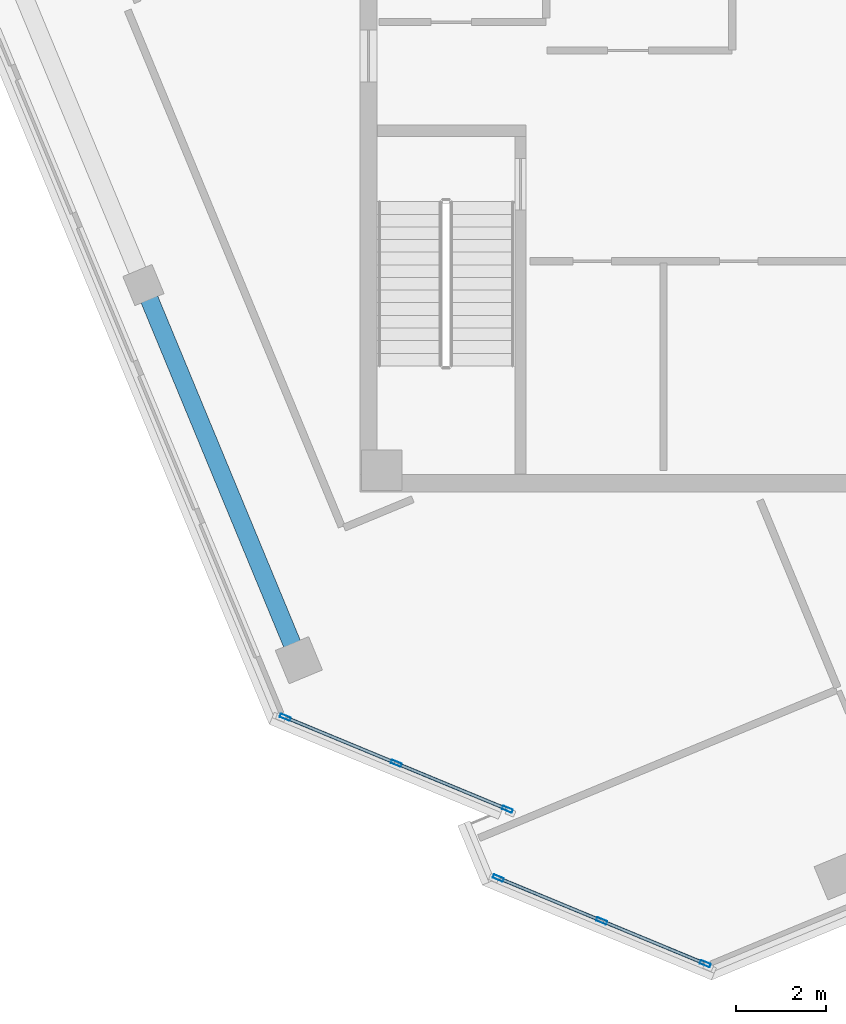
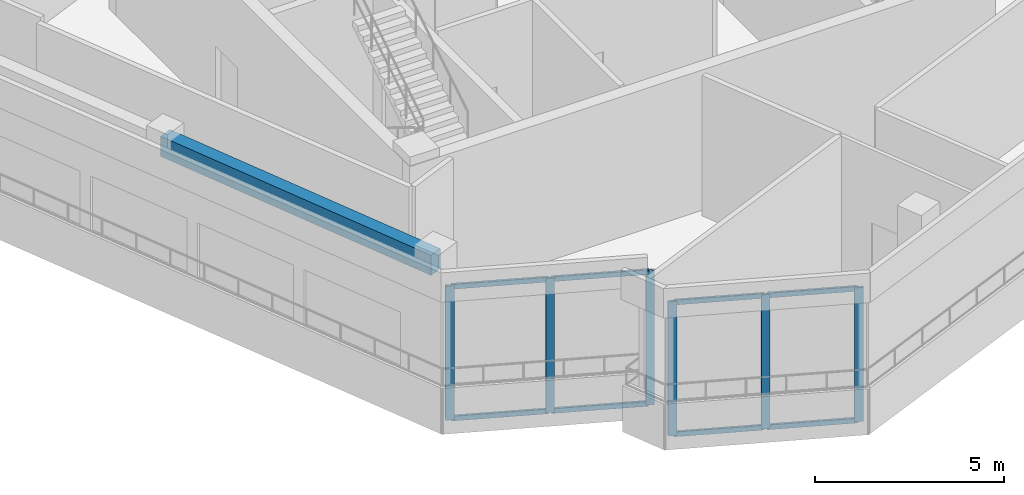
# One storey, part 2 of 17: 14 members, 1 beam, 2 elements without a shape of their own.
"""IFC4 building model written with IfcOpenShell, lengths in metres."""

from ifc_helpers import new_model, si_unit, direction, frame, origin, origin_2d, place, context, subcontext, project, spatial, rectangle, hollow_rectangle, extrude, source, transform, mapped, material, material_profile, profile_set, type_object, element, aggregate, save


model = new_model("IFC4")

# Units and contexts
model_context = context("Model", 3, precision=1e-05, world=origin(), true_north=direction((0.0, 1.0)))
body_context = subcontext(model_context, "Body", "Model", "MODEL_VIEW")
ifc_project = project(units=[si_unit("LENGTHUNIT", "METRE"), si_unit("AREAUNIT", "SQUARE_METRE"), si_unit("VOLUMEUNIT", "CUBIC_METRE"), si_unit("PLANEANGLEUNIT", "RADIAN"), si_unit("MASSUNIT", "GRAM", prefix="KILO")], contexts=[model_context])

# Site, building, storey
site_placement = place(None, origin())
site = spatial("IfcSite", under=ifc_project, at=site_placement, CompositionType="ELEMENT")
building_placement = place(site_placement, origin())
building = spatial("IfcBuilding", under=site, at=building_placement, Name="Torre Montelarca", CompositionType="ELEMENT")
storey_placement = place(building_placement, frame((0.0, 0.0, 355.199951171875)))
storey = spatial("IfcBuildingStorey", under=building, at=storey_placement, Name="L80", CompositionType="ELEMENT", Elevation=355.199951171875)

# Beam
ifc_material_1 = material(Name="Concrete C40/50", Category="concrete")
ifc_material_profile_1 = material_profile(ifc_material_1, rectangle(XDim=0.39990234375, YDim=0.64990234375, at=origin_2d()), Name="RCB400X650", Category="concrete")
ifc_profile_set_1 = profile_set([ifc_material_profile_1], Name="Concrete C40/50")
beam_type = type_object("IfcBeamType", Name="BM-SP-RC650-EXT", PredefinedType="SPANDREL", material=ifc_profile_set_1)
shared_shape_1 = source(origin(), body_context, "Body", "SweptSolid", [
    extrude(rectangle(XDim=0.39990234375, YDim=0.64990234375, at=origin_2d()), origin(), (0.0, 0.0, 1.0), 9.0),
])
beam_placement = place(storey_placement, frame((4.27001953125, 28.6513671875, 4.195068359375), z_axis=(0.382676821686, -0.923882270716, 0.0), x_axis=(0.923882270716, 0.382676821686, 0.0)))
element("IfcBeam", 1, at=beam_placement, inside=storey, type_object=beam_type, Name="L80 Grid Girder X 18.0-27.0 at Y=14.8", PredefinedType="SPANDREL", context=body_context, shape_type="MappedRepresentation", body=[
    mapped(shared_shape_1, transform((0.0, 0.0, 0.0), scale=1.0)),
])

# Curtain wall, members
ifc_material_2 = material(Name="Amber translucent laminated glass", Category="glass")
curtain_wall_type = type_object("IfcCurtainWallType", Name="CW-SYS-LANT", PredefinedType="USERDEFINED", material=ifc_material_2)
curtain_wall_1_placement = place(storey_placement, origin())
curtain_wall_1 = element("IfcCurtainWall", 2, at=curtain_wall_1_placement, inside=storey, type_object=curtain_wall_type, Name="L80 Curtain Wall Run CW-T3-L80-E02-B1", ObjectType="TRANSLUCENT LANTERN", PredefinedType="USERDEFINED")
ifc_material_3 = material(Name="Anodised aluminium AA 6063-T6", Category="aluminium")
ifc_material_profile_2 = material_profile(ifc_material_3, hollow_rectangle(XDim=0.074951171875, YDim=0.159912109375, WallThickness=0.0048828125, InnerFilletRadius=0.0048828125, OuterFilletRadius=0.010009765625, at=origin_2d()), Name="ALU75X160X5", Category="aluminium")
ifc_profile_set_2 = profile_set([ifc_material_profile_2], Name="Anodised aluminium AA 6063-T6")
member_type_1 = type_object("IfcMemberType", Name="CWT-ALU160", PredefinedType="USERDEFINED", material=ifc_profile_set_2)
shared_shape_2 = source(origin(), body_context, "Body", "SweptSolid", [
    extrude(hollow_rectangle(XDim=0.074951171875, YDim=0.159912109375, WallThickness=0.0048828125, InnerFilletRadius=0.0048828125, OuterFilletRadius=0.010009765625, at=origin_2d()), origin(), (0.0, 0.0, 1.0), 2.5849609375),
])
member_1_placement = place(storey_placement, frame((7.44970703125, 19.055908203125, 0.03759765625), z_axis=(0.923874091792, -0.382696567158, 0.0), x_axis=(0.382696567158, 0.923874091792, 0.0)))
member_1 = element("IfcMember", 3, at=member_1_placement, type_object=member_type_1, Name="CW transom 1.1", ObjectType="TRANSOM", PredefinedType="USERDEFINED", context=body_context, shape_type="MappedRepresentation", body=[
    mapped(shared_shape_2, transform((0.0, 0.0, 0.0), scale=1.0)),
])
member_2_placement = place(storey_placement, frame((7.44970703125, 19.055908203125, 4.282470703125), z_axis=(0.923874091792, -0.382696567158, 0.0), x_axis=(0.382696567158, 0.923874091792, 0.0)))
member_2 = element("IfcMember", 4, at=member_2_placement, type_object=member_type_1, Name="CW transom 1.2", ObjectType="TRANSOM", PredefinedType="USERDEFINED", context=body_context, shape_type="MappedRepresentation", body=[
    mapped(shared_shape_2, transform((0.0, 0.0, 0.0), scale=1.0)),
])
member_3_placement = place(storey_placement, frame((9.911865234375, 18.0361328125, 0.03759765625), z_axis=(0.923874091792, -0.382696567158, 0.0), x_axis=(0.382696567158, 0.923874091792, 0.0)))
member_3 = element("IfcMember", 5, at=member_3_placement, type_object=member_type_1, Name="CW transom 2.1", ObjectType="TRANSOM", PredefinedType="USERDEFINED", context=body_context, shape_type="MappedRepresentation", body=[
    mapped(shared_shape_2, transform((0.0, 0.0, 0.0), scale=1.0)),
])
member_4_placement = place(storey_placement, frame((9.911865234375, 18.0361328125, 4.282470703125), z_axis=(0.923874091792, -0.382696567158, 0.0), x_axis=(0.382696567158, 0.923874091792, 0.0)))
member_4 = element("IfcMember", 6, at=member_4_placement, type_object=member_type_1, Name="CW transom 2.2", ObjectType="TRANSOM", PredefinedType="USERDEFINED", context=body_context, shape_type="MappedRepresentation", body=[
    mapped(shared_shape_2, transform((0.0, 0.0, 0.0), scale=1.0)),
])

curtain_wall_2_placement = place(storey_placement, origin())
curtain_wall_2 = element("IfcCurtainWall", 7, at=curtain_wall_2_placement, inside=storey, type_object=curtain_wall_type, Name="L80 Curtain Wall Run CW-T3-L80-E05-B1", ObjectType="TRANSLUCENT LANTERN", PredefinedType="USERDEFINED")
shared_shape_3 = source(origin(), body_context, "Body", "SweptSolid", [
    extrude(hollow_rectangle(XDim=0.074951171875, YDim=0.159912109375, WallThickness=0.0048828125, InnerFilletRadius=0.0048828125, OuterFilletRadius=0.010009765625, at=origin_2d()), origin(), (0.0, 0.0, 1.0), 2.401123046875),
])
member_5_placement = place(storey_placement, frame((12.173095703125, 15.4921875, 0.03759765625), z_axis=(0.92386315418, -0.382722970761, 0.0), x_axis=(0.382722970761, 0.92386315418, 0.0)))
member_5 = element("IfcMember", 8, at=member_5_placement, type_object=member_type_1, Name="CW transom 1.1", ObjectType="TRANSOM", PredefinedType="USERDEFINED", context=body_context, shape_type="MappedRepresentation", body=[
    mapped(shared_shape_3, transform((0.0, 0.0, 0.0), scale=1.0)),
])
member_6_placement = place(storey_placement, frame((12.173095703125, 15.4921875, 4.282470703125), z_axis=(0.92386315418, -0.382722970761, 0.0), x_axis=(0.382722970761, 0.92386315418, 0.0)))
member_6 = element("IfcMember", 9, at=member_6_placement, type_object=member_type_1, Name="CW transom 1.2", ObjectType="TRANSOM", PredefinedType="USERDEFINED", context=body_context, shape_type="MappedRepresentation", body=[
    mapped(shared_shape_3, transform((0.0, 0.0, 0.0), scale=1.0)),
])
shared_shape_4 = source(origin(), body_context, "Body", "SweptSolid", [
    extrude(hollow_rectangle(XDim=0.074951171875, YDim=0.159912109375, WallThickness=0.0048828125, InnerFilletRadius=0.0048828125, OuterFilletRadius=0.010009765625, at=origin_2d()), origin(), (0.0, 0.0, 1.0), 2.40087890625),
])
member_7_placement = place(storey_placement, frame((14.46533203125, 14.542724609375, 0.03759765625), z_axis=(0.923899103837, -0.382636179588, 0.0), x_axis=(0.382636179588, 0.923899103837, 0.0)))
member_7 = element("IfcMember", 10, at=member_7_placement, type_object=member_type_1, Name="CW transom 2.1", ObjectType="TRANSOM", PredefinedType="USERDEFINED", context=body_context, shape_type="MappedRepresentation", body=[
    mapped(shared_shape_4, transform((0.0, 0.0, 0.0), scale=1.0)),
])
member_8_placement = place(storey_placement, frame((14.46533203125, 14.542724609375, 4.282470703125), z_axis=(0.923899103837, -0.382636179588, 0.0), x_axis=(0.382636179588, 0.923899103837, 0.0)))
member_8 = element("IfcMember", 11, at=member_8_placement, type_object=member_type_1, Name="CW transom 2.2", ObjectType="TRANSOM", PredefinedType="USERDEFINED", context=body_context, shape_type="MappedRepresentation", body=[
    mapped(shared_shape_4, transform((0.0, 0.0, 0.0), scale=1.0)),
])

# Member
ifc_material_profile_3 = material_profile(ifc_material_3, hollow_rectangle(XDim=0.080078125, YDim=0.239990234375, WallThickness=0.0048828125, InnerFilletRadius=0.0048828125, OuterFilletRadius=0.010009765625, at=origin_2d()), Name="ALU80X240X5", Category="aluminium")
ifc_profile_set_3 = profile_set([ifc_material_profile_3], Name="Anodised aluminium AA 6063-T6")
member_type_2 = type_object("IfcMemberType", Name="CWM-ALU240", PredefinedType="MULLION", material=ifc_profile_set_3)
shared_shape_5 = source(origin(), body_context, "Body", "SweptSolid", [
    extrude(hollow_rectangle(XDim=0.080078125, YDim=0.239990234375, WallThickness=0.0048828125, InnerFilletRadius=0.0048828125, OuterFilletRadius=0.010009765625, at=origin_2d()), origin(), (0.0, 0.0, 1.0), 4.320068359375),
])
member_9_placement = place(storey_placement, frame((7.412841796875, 19.0712890625, 0.0), z_axis=(0.0, 0.0, 1.0), x_axis=(0.382664147931, 0.923887520149, 0.0)))
member_9 = element("IfcMember", 12, at=member_9_placement, type_object=member_type_2, Name="CW mullion 1", PredefinedType="MULLION", context=body_context, shape_type="MappedRepresentation", body=[
    mapped(shared_shape_5, transform((0.0, 0.0, 0.0), scale=1.0)),
])

member_10_placement = place(storey_placement, frame((9.875, 18.051513671875, 0.0), z_axis=(0.0, 0.0, 1.0), x_axis=(0.382664147931, 0.923887520149, 0.0)))
member_10 = element("IfcMember", 13, at=member_10_placement, type_object=member_type_2, Name="CW mullion 2", PredefinedType="MULLION", context=body_context, shape_type="MappedRepresentation", body=[
    mapped(shared_shape_5, transform((0.0, 0.0, 0.0), scale=1.0)),
])

member_11_placement = place(storey_placement, frame((12.337158203125, 17.031494140625, 0.0), z_axis=(0.0, 0.0, 1.0), x_axis=(0.382664147931, 0.923887520149, 0.0)))
member_11 = element("IfcMember", 14, at=member_11_placement, type_object=member_type_2, Name="CW mullion 3", PredefinedType="MULLION", context=body_context, shape_type="MappedRepresentation", body=[
    mapped(shared_shape_5, transform((0.0, 0.0, 0.0), scale=1.0)),
])

aggregate(curtain_wall_1, [member_9, member_10, member_11, member_1, member_2, member_3, member_4])

member_12_placement = place(storey_placement, frame((12.13623046875, 15.507568359375, 0.0), z_axis=(0.0, 0.0, 1.0), x_axis=(0.382671166306, 0.923884613184, 0.0)))
member_12 = element("IfcMember", 15, at=member_12_placement, type_object=member_type_2, Name="CW mullion 1", PredefinedType="MULLION", context=body_context, shape_type="MappedRepresentation", body=[
    mapped(shared_shape_5, transform((0.0, 0.0, 0.0), scale=1.0)),
])

member_13_placement = place(storey_placement, frame((14.428466796875, 14.55810546875, 0.0), z_axis=(0.0, 0.0, 1.0), x_axis=(0.382671166306, 0.923884613184, 0.0)))
member_13 = element("IfcMember", 16, at=member_13_placement, type_object=member_type_2, Name="CW mullion 2", PredefinedType="MULLION", context=body_context, shape_type="MappedRepresentation", body=[
    mapped(shared_shape_5, transform((0.0, 0.0, 0.0), scale=1.0)),
])

member_14_placement = place(storey_placement, frame((16.720703125, 13.608642578125, 0.0), z_axis=(0.0, 0.0, 1.0), x_axis=(0.382671166306, 0.923884613184, 0.0)))
member_14 = element("IfcMember", 17, at=member_14_placement, type_object=member_type_2, Name="CW mullion 3", PredefinedType="MULLION", context=body_context, shape_type="MappedRepresentation", body=[
    mapped(shared_shape_5, transform((0.0, 0.0, 0.0), scale=1.0)),
])

aggregate(curtain_wall_2, [member_12, member_13, member_14, member_5, member_6, member_7, member_8])

save(model, "model.ifc")
